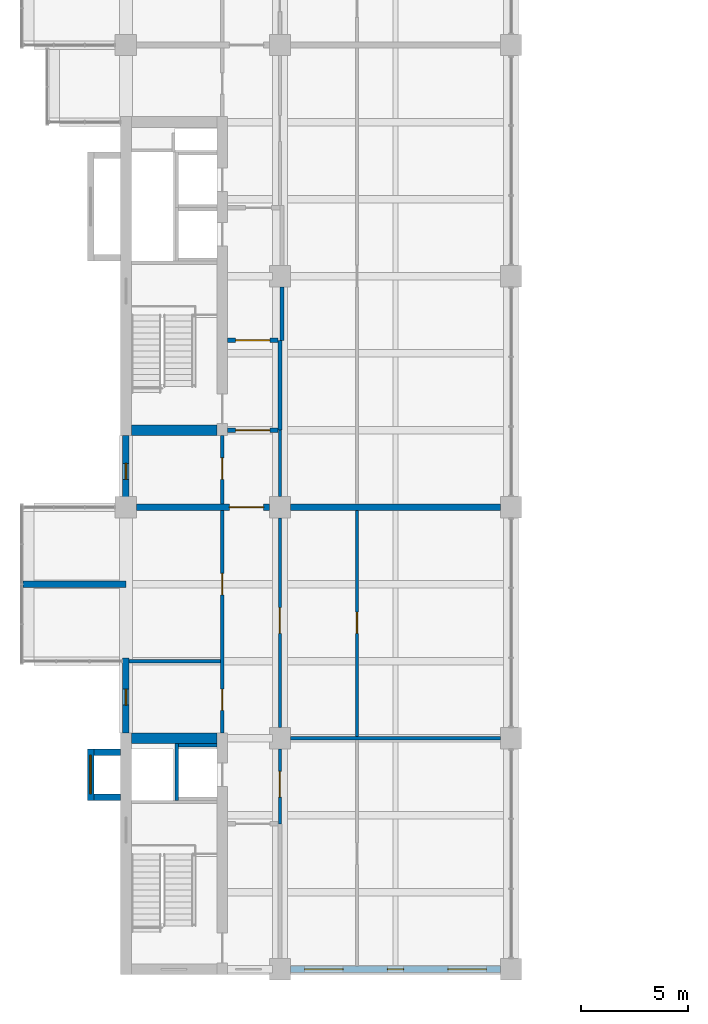
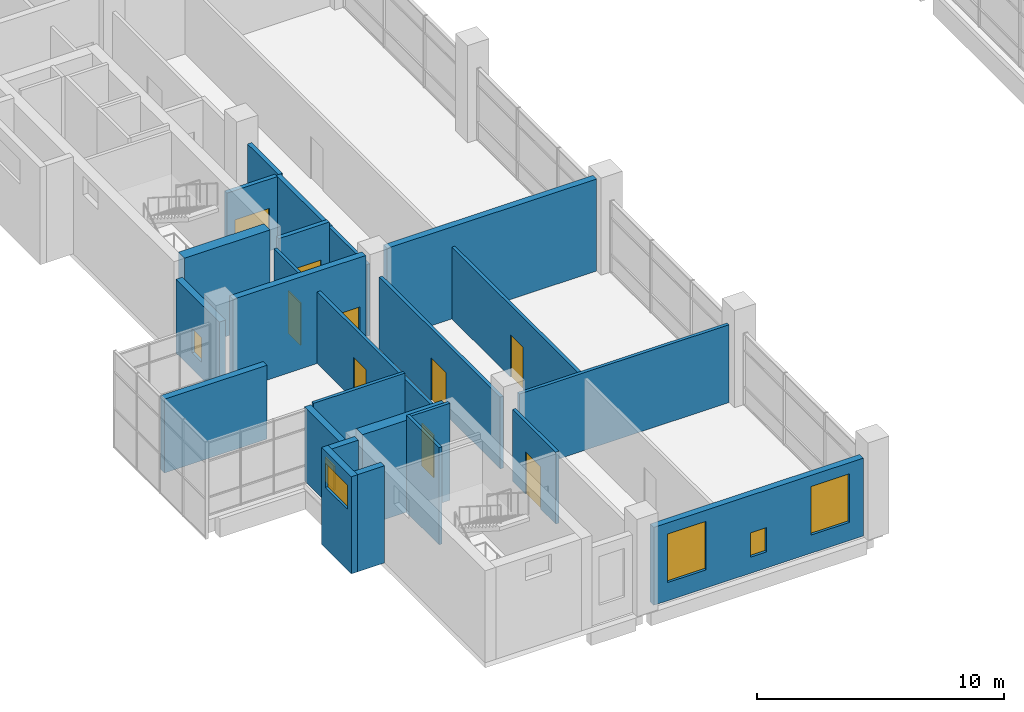
# One storey, part 21 of 30: 25 walls, 9 doors, 6 windows, 15 openings.
"""IFC4 building model written with IfcOpenShell, lengths in metres."""

from ifc_helpers import new_model, si_unit, direction, frame, frame_2d, origin, place, context, subcontext, project, spatial, rectangle, extrude, material, layer, layer_set, type_object, element, fill, save


model = new_model("IFC4")

# Units and contexts
model_context = context("Model", 3, precision=1e-05, world=origin(), true_north=direction((0.0, 1.0)))
body_context = subcontext(model_context, "Body", "Model", "MODEL_VIEW")
ifc_project = project(units=[si_unit("LENGTHUNIT", "METRE"), si_unit("AREAUNIT", "SQUARE_METRE"), si_unit("VOLUMEUNIT", "CUBIC_METRE"), si_unit("PLANEANGLEUNIT", "RADIAN"), si_unit("MASSUNIT", "GRAM", prefix="KILO")], contexts=[model_context])

# Site, building, storey
site_placement = place(None, origin())
site = spatial("IfcSite", under=ifc_project, at=site_placement, CompositionType="ELEMENT")
building_placement = place(site_placement, origin())
building = spatial("IfcBuilding", under=site, at=building_placement, Name="Basin Gate Institute", CompositionType="ELEMENT")
storey_placement = place(building_placement, frame((0.0, 0.0, 36.60009765625)))
storey = spatial("IfcBuildingStorey", under=building, at=storey_placement, Name="L07", CompositionType="ELEMENT", Elevation=36.60009765625)

# Wall
ifc_material_1 = material(Name="Aluminium-faced insulated panel wall", Category="aluminium")
ifc_layer_1 = layer(ifc_material_1, 0.300048828125)
ifc_layer_set_1 = layer_set([ifc_layer_1], Name="Capsule side wall EW2 EI 120")
wall_type_1 = type_object("IfcWallType", Name="Capsule side wall EW2 EI 120", PredefinedType="STANDARD", material=ifc_layer_set_1)
wall_1_placement = place(storey_placement, frame((56.39990234375, 53.10009765625, 0.0), z_axis=(0.0, 0.0, 1.0), x_axis=(1.0, 0.0, 0.0)))
element("IfcWall", 1, at=wall_1_placement, inside=storey, type_object=wall_type_1, material=ifc_layer_set_1, Name="Capsule side wall W wing L07 line 6", PredefinedType="STANDARD", context=body_context, shape_type="SweptSolid", body=[
    extrude(rectangle(XDim=4.800048828125, YDim=0.300048828125, at=frame_2d((2.39990234375, 0.0))), origin(), (0.0, 0.0, 1.0), 3.64990234375),
])

# Wall, opening, door
ifc_material_2 = material(Name="Fire-rated masonry", Category="masonry")
ifc_layer_2 = layer(ifc_material_2, 0.199951171875)
ifc_layer_set_2 = layer_set([ifc_layer_2], Name="Enclosure wall PW2 200 EI 60")
wall_type_2 = type_object("IfcWallType", Name="Enclosure wall PW2 200 EI 60", PredefinedType="PARTITIONING", material=ifc_layer_set_2)
wall_2_placement = place(storey_placement, frame((65.949951171875, 60.300048828125, 0.0), z_axis=(0.0, 0.0, 1.0), x_axis=(1.0, 0.0, 0.0)))
wall_2 = element("IfcWall", 2, at=wall_2_placement, inside=storey, type_object=wall_type_2, material=ifc_layer_set_2, Name="Smoke lobby enclosure wall PW2 L07", PredefinedType="PARTITIONING", context=body_context, shape_type="SweptSolid", body=[
    extrude(rectangle(XDim=2.35009765625, YDim=0.199951171875, at=frame_2d((1.175048828125, 0.0))), origin(), (0.0, 0.0, 1.0), 3.849853515625),
])
opening_1_placement = place(wall_2_placement, frame((0.375, 0.0, 0.0)))
opening_1 = element("IfcOpeningElement", 3, at=opening_1_placement, cuts=wall_2, Name="Opening DR363", PredefinedType="OPENING", context=body_context, shape_type="SweptSolid", body=[
    extrude(rectangle(XDim=1.60009765625, YDim=2.10009765625, at=frame_2d((0.800048828125, 1.050048828125))), frame((0.0, 0.10986328125, 0.0), z_axis=(0.0, -1.0, 0.0), x_axis=(1.0, 0.0, 0.0)), (0.0, 0.0, 1.0), 0.219970703125),
])
ifc_material_3 = material(Name="Steel fire door", Category="steel")
door_type_1 = type_object("IfcDoorType", Name="FD60 Smoke lobby door pair D8", OperationType="DOUBLE_DOOR_SINGLE_SWING", PredefinedType="DOOR", material=ifc_material_3)
door_1_placement = place(opening_1_placement, origin())
door_1 = element("IfcDoor", 4, at=door_1_placement, inside=storey, type_object=door_type_1, material=ifc_material_3, Name="Smoke lobby door SS2 L07", OperationType="DOUBLE_DOOR_SINGLE_SWING", OverallHeight=2.10009765625, OverallWidth=1.60009765625, PredefinedType="DOOR", context=body_context, shape_type="SweptSolid", body=[
    extrude(rectangle(XDim=1.60009765625, YDim=2.10009765625, at=frame_2d((0.800048828125, 1.050048828125))), frame((0.0, 0.02490234375, 0.0), z_axis=(0.0, -1.0, 0.0), x_axis=(1.0, 0.0, 0.0)), (0.0, 0.0, 1.0), 0.050048828125),
])
fill(opening_1, door_1)

wall_3_placement = place(storey_placement, frame((65.949951171875, 64.5, 0.0), z_axis=(0.0, 0.0, 1.0), x_axis=(1.0, 0.0, 0.0)))
wall_3 = element("IfcWall", 5, at=wall_3_placement, inside=storey, type_object=wall_type_2, material=ifc_layer_set_2, Name="Smoke lobby enclosure wall PW2 L07", PredefinedType="PARTITIONING", context=body_context, shape_type="SweptSolid", body=[
    extrude(rectangle(XDim=2.35009765625, YDim=0.199951171875, at=frame_2d((1.175048828125, 0.0))), origin(), (0.0, 0.0, 1.0), 3.5498046875),
])
opening_2_placement = place(wall_3_placement, frame((0.375, 0.0, 0.0)))
opening_2 = element("IfcOpeningElement", 6, at=opening_2_placement, cuts=wall_3, Name="Opening DR364", PredefinedType="OPENING", context=body_context, shape_type="SweptSolid", body=[
    extrude(rectangle(XDim=1.60009765625, YDim=2.10009765625, at=frame_2d((0.800048828125, 1.050048828125))), frame((0.0, 0.10986328125, 0.0), z_axis=(0.0, -1.0, 0.0), x_axis=(1.0, 0.0, 0.0)), (0.0, 0.0, 1.0), 0.219970703125),
])
door_2_placement = place(opening_2_placement, frame((1.60009765625, 0.0, 0.0), z_axis=(0.0, 0.0, 1.0), x_axis=(-1.0, 0.0, 0.0)))
door_2 = element("IfcDoor", 7, at=door_2_placement, inside=storey, type_object=door_type_1, material=ifc_material_3, Name="Smoke lobby door SS2 L07", OperationType="DOUBLE_DOOR_SINGLE_SWING", OverallHeight=2.10009765625, OverallWidth=1.60009765625, PredefinedType="DOOR", context=body_context, shape_type="SweptSolid", body=[
    extrude(rectangle(XDim=1.60009765625, YDim=2.10009765625, at=frame_2d((0.800048828125, 1.050048828125))), frame((0.0, 0.02490234375, 0.0), z_axis=(0.0, -1.0, 0.0), x_axis=(1.0, 0.0, 0.0)), (0.0, 0.0, 1.0), 0.050048828125),
])
fill(opening_2, door_2)

# Walls
wall_4_placement = place(storey_placement, frame((68.39990234375, 60.300048828125, 0.0), z_axis=(0.0, 0.0, 1.0), x_axis=(0.0, 1.0, 0.0)))
element("IfcWall", 8, at=wall_4_placement, inside=storey, type_object=wall_type_2, material=ifc_layer_set_2, Name="Smoke lobby enclosure wall PW2 L07", PredefinedType="PARTITIONING", context=body_context, shape_type="SweptSolid", body=[
    extrude(rectangle(XDim=4.199951171875, YDim=0.199951171875, at=frame_2d((2.10009765625, 0.0))), origin(), (0.0, 0.0, 1.0), 3.5498046875),
])
wall_5_placement = place(storey_placement, frame((68.5, 64.5, 0.0), z_axis=(0.0, 0.0, 1.0), x_axis=(0.0, 1.0, 0.0)))
element("IfcWall", 9, at=wall_5_placement, inside=storey, type_object=wall_type_2, material=ifc_layer_set_2, Name="Emergency lift lobby wall PW2 L07", PredefinedType="PARTITIONING", context=body_context, shape_type="SweptSolid", body=[
    extrude(rectangle(XDim=2.5, YDim=0.199951171875, at=frame_2d((1.25, 0.0))), origin(), (0.0, 0.0, 1.0), 3.5498046875),
])

# Wall, opening, window
ifc_material_4 = material(Name="Aluminium-faced insulated panel wall", Category="aluminium")
ifc_layer_3 = layer(ifc_material_4, 0.300048828125)
ifc_layer_set_3 = layer_set([ifc_layer_3], Name="External wall EW1 EI 120")
wall_type_3 = type_object("IfcWallType", Name="External wall EW1 EI 120", PredefinedType="STANDARD", material=ifc_layer_set_3)
wall_6_placement = place(storey_placement, frame((61.199951171875, 46.14990234375, 0.0), z_axis=(0.0, 0.0, 1.0), x_axis=(0.0, 1.0, 0.0)))
wall_6 = element("IfcWall", 10, at=wall_6_placement, inside=storey, type_object=wall_type_3, material=ifc_layer_set_3, Name="External wall W facade L07 1", PredefinedType="STANDARD", context=body_context, shape_type="SweptSolid", body=[
    extrude(rectangle(XDim=3.5, YDim=0.300048828125, at=frame_2d((1.75, 0.0))), origin(), (0.0, 0.0, 1.0), 3.64990234375),
])
opening_3_placement = place(wall_6_placement, frame((1.300048828125, 0.0, 0.800048828125)))
opening_3 = element("IfcOpeningElement", 11, at=opening_3_placement, cuts=wall_6, Name="Opening WN3", PredefinedType="OPENING", context=body_context, shape_type="SweptSolid", body=[
    extrude(rectangle(XDim=0.75, YDim=1.199951171875, at=frame_2d((0.375, 0.60009765625))), frame((0.0, 0.16015625, 0.0), z_axis=(0.0, -1.0, 0.0), x_axis=(1.0, 0.0, 0.0)), (0.0, 0.0, 1.0), 0.320068359375),
])
ifc_material_5 = material(Name="Aluminium-framed double glazing", Category="aluminium")
window_type_1 = type_object("IfcWindowType", Name="Emergency entry panel WN3", PartitioningType="SINGLE_PANEL", PredefinedType="WINDOW", material=ifc_material_5)
window_1_placement = place(opening_3_placement, origin())
window_1 = element("IfcWindow", 12, at=window_1_placement, inside=storey, type_object=window_type_1, material=ifc_material_5, Name="Emergency entry panel W facade L07 bay 4", OverallHeight=1.199951171875, OverallWidth=0.75, PartitioningType="SINGLE_PANEL", PredefinedType="WINDOW", context=body_context, shape_type="SweptSolid", body=[
    extrude(rectangle(XDim=0.75, YDim=1.199951171875, at=frame_2d((0.375, 0.60009765625))), frame((0.0, 0.030029296875, 0.0), z_axis=(0.0, -1.0, 0.0), x_axis=(1.0, 0.0, 0.0)), (0.0, 0.0, 1.0), 0.06005859375),
])
fill(opening_3, window_1)

wall_7_placement = place(storey_placement, frame((61.199951171875, 56.550048828125, 0.0), z_axis=(0.0, 0.0, 1.0), x_axis=(0.0, 1.0, 0.0)))
wall_7 = element("IfcWall", 13, at=wall_7_placement, inside=storey, type_object=wall_type_3, material=ifc_layer_set_3, Name="External wall W facade L07 2", PredefinedType="STANDARD", context=body_context, shape_type="SweptSolid", body=[
    extrude(rectangle(XDim=3.5, YDim=0.300048828125, at=frame_2d((1.75, 0.0))), origin(), (0.0, 0.0, 1.0), 3.64990234375),
])
opening_4_placement = place(wall_7_placement, frame((1.449951171875, 0.0, 0.800048828125)))
opening_4 = element("IfcOpeningElement", 14, at=opening_4_placement, cuts=wall_7, Name="Opening WN3", PredefinedType="OPENING", context=body_context, shape_type="SweptSolid", body=[
    extrude(rectangle(XDim=0.75, YDim=1.199951171875, at=frame_2d((0.375, 0.60009765625))), frame((0.0, 0.16015625, 0.0), z_axis=(0.0, -1.0, 0.0), x_axis=(1.0, 0.0, 0.0)), (0.0, 0.0, 1.0), 0.320068359375),
])
window_2_placement = place(opening_4_placement, origin())
window_2 = element("IfcWindow", 15, at=window_2_placement, inside=storey, type_object=window_type_1, material=ifc_material_5, Name="Emergency entry panel W facade L07 bay 7", OverallHeight=1.199951171875, OverallWidth=0.75, PartitioningType="SINGLE_PANEL", PredefinedType="WINDOW", context=body_context, shape_type="SweptSolid", body=[
    extrude(rectangle(XDim=0.75, YDim=1.199951171875, at=frame_2d((0.375, 0.60009765625))), frame((0.0, 0.030029296875, 0.0), z_axis=(0.0, -1.0, 0.0), x_axis=(1.0, 0.0, 0.0)), (0.0, 0.0, 1.0), 0.06005859375),
])
fill(opening_4, window_2)

# Wall, openings, windows
wall_8_placement = place(storey_placement, frame((68.89990234375, 35.10009765625, 0.0), z_axis=(0.0, 0.0, 1.0), x_axis=(1.0, 0.0, 0.0)))
wall_8 = element("IfcWall", 16, at=wall_8_placement, inside=storey, type_object=wall_type_3, material=ifc_layer_set_3, Name="External end wall W wing south L07 2", PredefinedType="STANDARD", context=body_context, shape_type="SweptSolid", body=[
    extrude(rectangle(XDim=9.800048828125, YDim=0.300048828125, at=frame_2d((4.89990234375, 0.0))), origin(), (0.0, 0.0, 1.0), 3.849853515625),
])
opening_5_placement = place(wall_8_placement, frame((0.64990234375, 0.0, 0.89990234375)))
opening_5 = element("IfcOpeningElement", 17, at=opening_5_placement, cuts=wall_8, Name="Opening WN1", PredefinedType="OPENING", context=body_context, shape_type="SweptSolid", body=[
    extrude(rectangle(XDim=1.800048828125, YDim=2.39990234375, at=frame_2d((0.89990234375, 1.199951171875))), frame((0.0, 0.16015625, 0.0), z_axis=(0.0, -1.0, 0.0), x_axis=(1.0, 0.0, 0.0)), (0.0, 0.0, 1.0), 0.320068359375),
])
opening_6_placement = place(wall_8_placement, frame((4.52490234375, 0.0, 0.800048828125)))
opening_6 = element("IfcOpeningElement", 18, at=opening_6_placement, cuts=wall_8, Name="Opening WN3", PredefinedType="OPENING", context=body_context, shape_type="SweptSolid", body=[
    extrude(rectangle(XDim=0.75, YDim=1.199951171875, at=frame_2d((0.375, 0.60009765625))), frame((0.0, 0.16015625, 0.0), z_axis=(0.0, -1.0, 0.0), x_axis=(1.0, 0.0, 0.0)), (0.0, 0.0, 1.0), 0.320068359375),
])
opening_7_placement = place(wall_8_placement, frame((7.35009765625, 0.0, 0.89990234375)))
opening_7 = element("IfcOpeningElement", 19, at=opening_7_placement, cuts=wall_8, Name="Opening WN1", PredefinedType="OPENING", context=body_context, shape_type="SweptSolid", body=[
    extrude(rectangle(XDim=1.800048828125, YDim=2.39990234375, at=frame_2d((0.89990234375, 1.199951171875))), frame((0.0, 0.16015625, 0.0), z_axis=(0.0, -1.0, 0.0), x_axis=(1.0, 0.0, 0.0)), (0.0, 0.0, 1.0), 0.320068359375),
])
window_3_placement = place(opening_6_placement, origin())
window_3 = element("IfcWindow", 20, at=window_3_placement, inside=storey, type_object=window_type_1, material=ifc_material_5, Name="Emergency entry panel W wing end S L07 bay 2", OverallHeight=1.199951171875, OverallWidth=0.75, PartitioningType="SINGLE_PANEL", PredefinedType="WINDOW", context=body_context, shape_type="SweptSolid", body=[
    extrude(rectangle(XDim=0.75, YDim=1.199951171875, at=frame_2d((0.375, 0.60009765625))), frame((0.0, 0.030029296875, 0.0), z_axis=(0.0, -1.0, 0.0), x_axis=(1.0, 0.0, 0.0)), (0.0, 0.0, 1.0), 0.06005859375),
])
fill(opening_6, window_3)
ifc_material_6 = material(Name="Aluminium-framed double glazing", Category="aluminium")
window_type_2 = type_object("IfcWindowType", Name="Facade window WN1", PartitioningType="SINGLE_PANEL", PredefinedType="WINDOW", material=ifc_material_6)
window_4_placement = place(opening_5_placement, origin())
window_4 = element("IfcWindow", 21, at=window_4_placement, inside=storey, type_object=window_type_2, material=ifc_material_6, Name="Facade window W wing end S L07 bay 1", OverallHeight=2.39990234375, OverallWidth=1.800048828125, PartitioningType="SINGLE_PANEL", PredefinedType="WINDOW", context=body_context, shape_type="SweptSolid", body=[
    extrude(rectangle(XDim=1.800048828125, YDim=2.39990234375, at=frame_2d((0.89990234375, 1.199951171875))), frame((0.0, 0.030029296875, 0.0), z_axis=(0.0, -1.0, 0.0), x_axis=(1.0, 0.0, 0.0)), (0.0, 0.0, 1.0), 0.06005859375),
])
fill(opening_5, window_4)
window_5_placement = place(opening_7_placement, origin())
window_5 = element("IfcWindow", 22, at=window_5_placement, inside=storey, type_object=window_type_2, material=ifc_material_6, Name="Facade window W wing end S L07 bay 3", OverallHeight=2.39990234375, OverallWidth=1.800048828125, PartitioningType="SINGLE_PANEL", PredefinedType="WINDOW", context=body_context, shape_type="SweptSolid", body=[
    extrude(rectangle(XDim=1.800048828125, YDim=2.39990234375, at=frame_2d((0.89990234375, 1.199951171875))), frame((0.0, 0.030029296875, 0.0), z_axis=(0.0, -1.0, 0.0), x_axis=(1.0, 0.0, 0.0)), (0.0, 0.0, 1.0), 0.06005859375),
])
fill(opening_7, window_5)

# Wall, openings, doors
ifc_material_7 = material(Name="Gypsum board on steel stud", Category="steel")
ifc_layer_4 = layer(ifc_material_7, 0.14990234375)
ifc_layer_set_4 = layer_set([ifc_layer_4], Name="Gypsum board on steel stud")
wall_type_4 = type_object("IfcWallType", Name="Partition PW1 150 EI 60", PredefinedType="PARTITIONING", material=ifc_layer_set_4)
wall_9_placement = place(storey_placement, frame((65.699951171875, 46.14990234375, 0.0), z_axis=(0.0, 0.0, 1.0), x_axis=(0.0, 1.0, 0.0)))
wall_9 = element("IfcWall", 23, at=wall_9_placement, inside=storey, type_object=wall_type_4, material=ifc_layer_set_4, Name="Corridor wall PW1 L07", PredefinedType="PARTITIONING", context=body_context, shape_type="SweptSolid", body=[
    extrude(rectangle(XDim=10.400146484375, YDim=0.14990234375, at=frame_2d((5.2001953125, 0.0))), origin(), (0.0, 0.0, 1.0), 3.5498046875),
])
opening_8_placement = place(wall_9_placement, frame((1.050048828125, 0.0, 0.0)))
opening_8 = element("IfcOpeningElement", 24, at=opening_8_placement, cuts=wall_9, Name="Opening DR351", PredefinedType="OPENING", context=body_context, shape_type="SweptSolid", body=[
    extrude(rectangle(XDim=1.0, YDim=2.10009765625, at=frame_2d((0.5, 1.050048828125))), frame((0.0, 0.0849609375, 0.0), z_axis=(0.0, -1.0, 0.0), x_axis=(1.0, 0.0, 0.0)), (0.0, 0.0, 1.0), 0.169921875),
])
opening_9_placement = place(wall_9_placement, frame((6.449951171875, 0.0, 0.0)))
opening_9 = element("IfcOpeningElement", 25, at=opening_9_placement, cuts=wall_9, Name="Opening DR359", PredefinedType="OPENING", context=body_context, shape_type="SweptSolid", body=[
    extrude(rectangle(XDim=1.0, YDim=2.10009765625, at=frame_2d((0.5, 1.050048828125))), frame((0.0, 0.0849609375, 0.0), z_axis=(0.0, -1.0, 0.0), x_axis=(1.0, 0.0, 0.0)), (0.0, 0.0, 1.0), 0.169921875),
])
ifc_material_8 = material(Name="Timber fire door", Category="wood")
door_type_2 = type_object("IfcDoorType", Name="FD30 Office door D1", OperationType="NOTDEFINED", PredefinedType="DOOR", material=ifc_material_8)
door_3_placement = place(opening_9_placement, origin())
door_3 = element("IfcDoor", 26, at=door_3_placement, inside=storey, type_object=door_type_2, material=ifc_material_8, Name="Door to Meeting Room 0702 L07", OperationType="SINGLE_SWING_RIGHT", OverallHeight=2.10009765625, OverallWidth=1.0, PredefinedType="DOOR", context=body_context, shape_type="SweptSolid", body=[
    extrude(rectangle(XDim=1.0, YDim=2.10009765625, at=frame_2d((0.5, 1.050048828125))), frame((0.0, 0.02490234375, 0.0), z_axis=(0.0, -1.0, 0.0), x_axis=(1.0, 0.0, 0.0)), (0.0, 0.0, 1.0), 0.050048828125),
])
fill(opening_9, door_3)
ifc_material_9 = material(Name="Timber fire door", Category="wood")
door_type_3 = type_object("IfcDoorType", Name="FD30 Toilet door D3", OperationType="NOTDEFINED", PredefinedType="DOOR", material=ifc_material_9)
door_4_placement = place(opening_8_placement, origin())
door_4 = element("IfcDoor", 27, at=door_4_placement, inside=storey, type_object=door_type_3, material=ifc_material_9, Name="Door to Female WC L07", OperationType="SINGLE_SWING_LEFT", OverallHeight=2.10009765625, OverallWidth=1.0, PredefinedType="DOOR", context=body_context, shape_type="SweptSolid", body=[
    extrude(rectangle(XDim=1.0, YDim=2.10009765625, at=frame_2d((0.5, 1.050048828125))), frame((0.0, 0.02490234375, 0.0), z_axis=(0.0, -1.0, 0.0), x_axis=(1.0, 0.0, 0.0)), (0.0, 0.0, 1.0), 0.050048828125),
])
fill(opening_8, door_4)

# Wall, opening, door
wall_10_placement = place(storey_placement, frame((65.699951171875, 56.85009765625, 0.0), z_axis=(0.0, 0.0, 1.0), x_axis=(0.0, 1.0, 0.0)))
wall_10 = element("IfcWall", 28, at=wall_10_placement, inside=storey, type_object=wall_type_4, material=ifc_layer_set_4, Name="Corridor wall PW1 L07", PredefinedType="PARTITIONING", context=body_context, shape_type="SweptSolid", body=[
    extrude(rectangle(XDim=3.199951171875, YDim=0.14990234375, at=frame_2d((1.60009765625, 0.0))), origin(), (0.0, 0.0, 1.0), 3.5498046875),
])
opening_10_placement = place(wall_10_placement, frame((1.14990234375, 0.0, 0.0)))
opening_10 = element("IfcOpeningElement", 29, at=opening_10_placement, cuts=wall_10, Name="Opening DR350", PredefinedType="OPENING", context=body_context, shape_type="SweptSolid", body=[
    extrude(rectangle(XDim=1.0, YDim=2.10009765625, at=frame_2d((0.5, 1.050048828125))), frame((0.0, 0.0849609375, 0.0), z_axis=(0.0, -1.0, 0.0), x_axis=(1.0, 0.0, 0.0)), (0.0, 0.0, 1.0), 0.169921875),
])
door_5_placement = place(opening_10_placement, origin())
door_5 = element("IfcDoor", 30, at=door_5_placement, inside=storey, type_object=door_type_3, material=ifc_material_9, Name="Door to Accessible WC L07", OperationType="SINGLE_SWING_RIGHT", OverallHeight=2.10009765625, OverallWidth=1.0, PredefinedType="DOOR", context=body_context, shape_type="SweptSolid", body=[
    extrude(rectangle(XDim=1.0, YDim=2.10009765625, at=frame_2d((0.5, 1.050048828125))), frame((0.0, 0.02490234375, 0.0), z_axis=(0.0, -1.0, 0.0), x_axis=(1.0, 0.0, 0.0)), (0.0, 0.0, 1.0), 0.050048828125),
])
fill(opening_10, door_5)

wall_11_placement = place(storey_placement, frame((68.39990234375, 41.89990234375, 0.0), z_axis=(0.0, 0.0, 1.0), x_axis=(0.0, 1.0, 0.0)))
wall_11 = element("IfcWall", 31, at=wall_11_placement, inside=storey, type_object=wall_type_4, material=ifc_layer_set_4, Name="Laboratory corridor wall PW1 L07", PredefinedType="PARTITIONING", context=body_context, shape_type="SweptSolid", body=[
    extrude(rectangle(XDim=3.5, YDim=0.14990234375, at=frame_2d((1.75, 0.0))), origin(), (0.0, 0.0, 1.0), 3.5498046875),
])
opening_11_placement = place(wall_11_placement, frame((1.25, 0.0, 0.0)))
opening_11 = element("IfcOpeningElement", 32, at=opening_11_placement, cuts=wall_11, Name="Opening DR352", PredefinedType="OPENING", context=body_context, shape_type="SweptSolid", body=[
    extrude(rectangle(XDim=1.199951171875, YDim=2.10009765625, at=frame_2d((0.60009765625, 1.050048828125))), frame((0.0, 0.0849609375, 0.0), z_axis=(0.0, -1.0, 0.0), x_axis=(1.0, 0.0, 0.0)), (0.0, 0.0, 1.0), 0.169921875),
])
ifc_material_10 = material(Name="Timber fire door", Category="wood")
door_type_4 = type_object("IfcDoorType", Name="FD30 Laboratory door D2", OperationType="DOUBLE_DOOR_SINGLE_SWING", PredefinedType="DOOR", material=ifc_material_10)
door_6_placement = place(opening_11_placement, frame((1.199951171875, 0.0, 0.0), z_axis=(0.0, 0.0, 1.0), x_axis=(-1.0, 0.0, 0.0)))
door_6 = element("IfcDoor", 33, at=door_6_placement, inside=storey, type_object=door_type_4, material=ifc_material_10, Name="Door to Gowning Airlock 0714 L07", OperationType="DOUBLE_DOOR_SINGLE_SWING", OverallHeight=2.10009765625, OverallWidth=1.199951171875, PredefinedType="DOOR", context=body_context, shape_type="SweptSolid", body=[
    extrude(rectangle(XDim=1.199951171875, YDim=2.10009765625, at=frame_2d((0.60009765625, 1.050048828125))), frame((0.0, 0.02490234375, 0.0), z_axis=(0.0, -1.0, 0.0), x_axis=(1.0, 0.0, 0.0)), (0.0, 0.0, 1.0), 0.050048828125),
])
fill(opening_11, door_6)

wall_12_placement = place(storey_placement, frame((68.39990234375, 46.39990234375, 0.0), z_axis=(0.0, 0.0, 1.0), x_axis=(0.0, 1.0, 0.0)))
wall_12 = element("IfcWall", 34, at=wall_12_placement, inside=storey, type_object=wall_type_4, material=ifc_layer_set_4, Name="Laboratory corridor wall PW1 L07", PredefinedType="PARTITIONING", context=body_context, shape_type="SweptSolid", body=[
    extrude(rectangle(XDim=9.800048828125, YDim=0.14990234375, at=frame_2d((4.89990234375, 0.0))), origin(), (0.0, 0.0, 1.0), 3.5498046875),
])
opening_12_placement = place(wall_12_placement, frame((4.39990234375, 0.0, 0.0)))
opening_12 = element("IfcOpeningElement", 35, at=opening_12_placement, cuts=wall_12, Name="Opening DR353", PredefinedType="OPENING", context=body_context, shape_type="SweptSolid", body=[
    extrude(rectangle(XDim=1.199951171875, YDim=2.10009765625, at=frame_2d((0.60009765625, 1.050048828125))), frame((0.0, 0.0849609375, 0.0), z_axis=(0.0, -1.0, 0.0), x_axis=(1.0, 0.0, 0.0)), (0.0, 0.0, 1.0), 0.169921875),
])
door_7_placement = place(opening_12_placement, frame((1.199951171875, 0.0, 0.0), z_axis=(0.0, 0.0, 1.0), x_axis=(-1.0, 0.0, 0.0)))
door_7 = element("IfcDoor", 36, at=door_7_placement, inside=storey, type_object=door_type_4, material=ifc_material_10, Name="Door to Gowning Airlock 0716 L07", OperationType="DOUBLE_DOOR_SINGLE_SWING", OverallHeight=2.10009765625, OverallWidth=1.199951171875, PredefinedType="DOOR", context=body_context, shape_type="SweptSolid", body=[
    extrude(rectangle(XDim=1.199951171875, YDim=2.10009765625, at=frame_2d((0.60009765625, 1.050048828125))), frame((0.0, 0.02490234375, 0.0), z_axis=(0.0, -1.0, 0.0), x_axis=(1.0, 0.0, 0.0)), (0.0, 0.0, 1.0), 0.050048828125),
])
fill(opening_12, door_7)

# Wall
wall_13_placement = place(storey_placement, frame((68.39990234375, 57.199951171875, 0.0), z_axis=(0.0, 0.0, 1.0), x_axis=(0.0, 1.0, 0.0)))
element("IfcWall", 37, at=wall_13_placement, inside=storey, type_object=wall_type_4, material=ifc_layer_set_4, Name="Laboratory corridor wall PW1 L07", PredefinedType="PARTITIONING", context=body_context, shape_type="SweptSolid", body=[
    extrude(rectangle(XDim=3.10009765625, YDim=0.14990234375, at=frame_2d((1.550048828125, 0.0))), origin(), (0.0, 0.0, 1.0), 3.5498046875),
])

# Wall, opening, door
wall_14_placement = place(storey_placement, frame((72.0, 45.97509765625, 0.0), z_axis=(0.0, 0.0, 1.0), x_axis=(0.0, 1.0, 0.0)))
wall_14 = element("IfcWall", 38, at=wall_14_placement, inside=storey, type_object=wall_type_4, material=ifc_layer_set_4, Name="Clean room wall PW1 L07", PredefinedType="PARTITIONING", context=body_context, shape_type="SweptSolid", body=[
    extrude(rectangle(XDim=10.574951171875, YDim=0.14990234375, at=frame_2d((5.28759765625, 0.0))), origin(), (0.0, 0.0, 1.0), 3.5498046875),
])
opening_13_placement = place(wall_14_placement, frame((4.824951171875, 0.0, 0.0)))
opening_13 = element("IfcOpeningElement", 39, at=opening_13_placement, cuts=wall_14, Name="Opening DR346", PredefinedType="OPENING", context=body_context, shape_type="SweptSolid", body=[
    extrude(rectangle(XDim=1.0, YDim=2.10009765625, at=frame_2d((0.5, 1.050048828125))), frame((0.0, 0.0849609375, 0.0), z_axis=(0.0, -1.0, 0.0), x_axis=(1.0, 0.0, 0.0)), (0.0, 0.0, 1.0), 0.169921875),
])
ifc_material_11 = material(Name="Steel fire door", Category="steel")
door_type_5 = type_object("IfcDoorType", Name="FD30 Airlock door D5", OperationType="NOTDEFINED", PredefinedType="DOOR", material=ifc_material_11)
door_8_placement = place(opening_13_placement, frame((1.0, 0.0, 0.0), z_axis=(0.0, 0.0, 1.0), x_axis=(-1.0, 0.0, 0.0)))
door_8 = element("IfcDoor", 40, at=door_8_placement, inside=storey, type_object=door_type_5, material=ifc_material_11, Name="Clean room entry door Clean Room ISO 7 0716 L07", OperationType="SINGLE_SWING_RIGHT", OverallHeight=2.10009765625, OverallWidth=1.0, PredefinedType="DOOR", context=body_context, shape_type="SweptSolid", body=[
    extrude(rectangle(XDim=1.0, YDim=2.10009765625, at=frame_2d((0.5, 1.050048828125))), frame((0.0, 0.02490234375, 0.0), z_axis=(0.0, -1.0, 0.0), x_axis=(1.0, 0.0, 0.0)), (0.0, 0.0, 1.0), 0.050048828125),
])
fill(opening_13, door_8)

# Walls
wall_15_placement = place(storey_placement, frame((68.89990234375, 45.89990234375, 0.0), z_axis=(0.0, 0.0, 1.0), x_axis=(1.0, 0.0, 0.0)))
element("IfcWall", 41, at=wall_15_placement, inside=storey, type_object=wall_type_4, material=ifc_layer_set_4, Name="Clean room wall PW1 L07", PredefinedType="PARTITIONING", context=body_context, shape_type="SweptSolid", body=[
    extrude(rectangle(XDim=9.800048828125, YDim=0.14990234375, at=frame_2d((4.89990234375, 0.0))), origin(), (0.0, 0.0, 1.0), 3.849853515625),
])
ifc_material_12 = material(Name="Gypsum board on steel stud", Category="steel")
ifc_layer_5 = layer(ifc_material_12, 0.14990234375)
ifc_layer_set_5 = layer_set([ifc_layer_5], Name="Gypsum board on steel stud")
wall_type_5 = type_object("IfcWallType", Name="Partition PW4 150", PredefinedType="PARTITIONING", material=ifc_layer_set_5)
wall_16_placement = place(storey_placement, frame((61.35009765625, 49.5, 0.0), z_axis=(0.0, 0.0, 1.0), x_axis=(1.0, 0.0, 0.0)))
element("IfcWall", 42, at=wall_16_placement, inside=storey, type_object=wall_type_5, material=ifc_layer_set_5, Name="Toilet partition PW4 L07", PredefinedType="PARTITIONING", context=body_context, shape_type="SweptSolid", body=[
    extrude(rectangle(XDim=4.27490234375, YDim=0.14990234375, at=frame_2d((2.137451171875, 0.0))), origin(), (0.0, 0.0, 1.0), 3.849853515625),
])
ifc_material_13 = material(Name="Concrete 40 MPa", Category="concrete")
ifc_layer_6 = layer(ifc_material_13, 0.14990234375)
ifc_layer_set_6 = layer_set([ifc_layer_6], Name="Concrete 40 MPa")
wall_type_6 = type_object("IfcWallType", Name="Wall LS1 lift shaft enclosure R120", PredefinedType="SOLIDWALL", material=ifc_layer_set_6)
wall_17_placement = place(storey_placement, frame((63.574951171875, 43.0, 0.0), z_axis=(0.0, 0.0, 1.0), x_axis=(0.0, 1.0, 0.0)))
element("IfcWall", 43, at=wall_17_placement, inside=storey, type_object=wall_type_6, material=ifc_layer_set_6, Name="Lift shaft enclosure LP1 L07 UL", PredefinedType="SOLIDWALL", context=body_context, shape_type="SweptSolid", body=[
    extrude(rectangle(XDim=2.64990234375, YDim=0.14990234375, at=frame_2d((1.324951171875, 0.0))), origin(), (0.0, 0.0, 1.0), 4.7998046875),
])
wall_18_placement = place(storey_placement, frame((63.64990234375, 45.574951171875, 0.0), z_axis=(0.0, 0.0, 1.0), x_axis=(1.0, 0.0, 0.0)))
element("IfcWall", 44, at=wall_18_placement, inside=storey, type_object=wall_type_6, material=ifc_layer_set_6, Name="Lift shaft enclosure LP1 L07 RH", PredefinedType="SOLIDWALL", context=body_context, shape_type="SweptSolid", body=[
    extrude(rectangle(XDim=1.800048828125, YDim=0.14990234375, at=frame_2d((0.89990234375, 0.0))), origin(), (0.0, 0.0, 1.0), 4.7998046875),
])

# Wall, opening, window
ifc_material_14 = material(Name="Concrete 50 MPa", Category="concrete")
ifc_layer_7 = layer(ifc_material_14, 0.300048828125)
ifc_layer_set_7 = layer_set([ifc_layer_7], Name="Concrete 50 MPa")
wall_type_7 = type_object("IfcWallType", Name="Wall SK1 R120", PredefinedType="SHEAR", material=ifc_layer_set_7)
wall_19_placement = place(storey_placement, frame((59.550048828125, 43.0, 0.0), z_axis=(0.0, 0.0, 1.0), x_axis=(0.0, 1.0, 0.0)))
wall_19 = element("IfcWall", 45, at=wall_19_placement, inside=storey, type_object=wall_type_7, material=ifc_layer_set_7, Name="Spine riser stack wall SK1 WS F L07", PredefinedType="SHEAR", context=body_context, shape_type="SweptSolid", body=[
    extrude(rectangle(XDim=2.39990234375, YDim=0.300048828125, at=frame_2d((1.199951171875, 0.0))), origin(), (0.0, 0.0, 1.0), 4.7998046875),
])
opening_14_placement = place(wall_19_placement, frame((0.300048828125, 0.0, 3.0)))
opening_14 = element("IfcOpeningElement", 46, at=opening_14_placement, cuts=wall_19, Name="Opening WL2", PredefinedType="OPENING", context=body_context, shape_type="SweptSolid", body=[
    extrude(rectangle(XDim=1.800048828125, YDim=1.199951171875, at=frame_2d((0.89990234375, 0.60009765625))), frame((0.0, 0.16015625, 0.0), z_axis=(0.0, -1.0, 0.0), x_axis=(1.0, 0.0, 0.0)), (0.0, 0.0, 1.0), 0.320068359375),
])
ifc_material_15 = material(Name="Aluminium louvre blades with fire damper", Category="aluminium")
window_type_3 = type_object("IfcWindowType", Name="Riser louvre EI 120 WL2", PartitioningType="SINGLE_PANEL", PredefinedType="WINDOW", material=ifc_material_15)
window_6_placement = place(opening_14_placement, origin())
window_6 = element("IfcWindow", 47, at=window_6_placement, inside=storey, type_object=window_type_3, material=ifc_material_15, Name="Riser louvre EI 120 WS riser 1 L07", OverallHeight=1.199951171875, OverallWidth=1.800048828125, PartitioningType="SINGLE_PANEL", PredefinedType="WINDOW", context=body_context, shape_type="SweptSolid", body=[
    extrude(rectangle(XDim=1.800048828125, YDim=1.199951171875, at=frame_2d((0.89990234375, 0.60009765625))), frame((0.0, 0.030029296875, 0.0), z_axis=(0.0, -1.0, 0.0), x_axis=(1.0, 0.0, 0.0)), (0.0, 0.0, 1.0), 0.06005859375),
])
fill(opening_14, window_6)

# Walls
for number, where, z_axis, x_axis, name in (
    (48, (60.949951171875, 43.14990234375, 0.0), (0.0, 0.0, 1.0), (-1.0, 0.0, 0.0), "Spine riser stack wall SK1 WS A L07"),
    (49, (60.949951171875, 45.25, 0.0), (0.0, 0.0, 1.0), (-1.0, 0.0, 0.0), "Spine riser stack wall SK1 WS B L07"),
):
    element("IfcWall", number, at=place(storey_placement, frame(where, z_axis=z_axis, x_axis=x_axis)), inside=storey, type_object=wall_type_7, material=ifc_layer_set_7, Name=name, PredefinedType="SHEAR", context=body_context, shape_type="SweptSolid", body=[
        extrude(rectangle(XDim=1.25, YDim=0.300048828125, at=frame_2d((0.625, 0.0))), origin(), (0.0, 0.0, 1.0), 4.7998046875),
    ])
ifc_material_16 = material(Name="Concrete 60 MPa", Category="concrete")
ifc_layer_8 = layer(ifc_material_16, 0.5)
ifc_layer_set_8 = layer_set([ifc_layer_8], Name="Concrete 60 MPa")
wall_type_8 = type_object("IfcWallType", Name="Wall SW1 R120", PredefinedType="SHEAR", material=ifc_layer_set_8)
for number, where, z_axis, x_axis, name in (
    (50, (61.449951171875, 45.89990234375, 0.0), (0.0, 0.0, 1.0), (1.0, 0.0, 0.0), "WALL/L07/WS/N"),
    (51, (61.449951171875, 60.300048828125, 0.0), (0.0, 0.0, 1.0), (1.0, 0.0, 0.0), "WALL/L07/WM/S"),
):
    element("IfcWall", number, at=place(storey_placement, frame(where, z_axis=z_axis, x_axis=x_axis)), inside=storey, type_object=wall_type_8, material=ifc_layer_set_8, Name=name, PredefinedType="SHEAR", context=body_context, shape_type="SweptSolid", body=[
        extrude(rectangle(XDim=4.0, YDim=0.5, at=frame_2d((2.0, 0.0))), origin(), (0.0, 0.0, 1.0), 4.5498046875),
    ])

# Wall, opening, door
ifc_material_17 = material(Name="Concrete 50 MPa", Category="concrete")
ifc_layer_9 = layer(ifc_material_17, 0.300048828125)
ifc_layer_set_9 = layer_set([ifc_layer_9], Name="Concrete 50 MPa")
wall_type_9 = type_object("IfcWallType", Name="Wall XW1 R120", PredefinedType="SHEAR", material=ifc_layer_set_9)
wall_20_placement = place(storey_placement, frame((61.699951171875, 56.699951171875, 0.0), z_axis=(0.0, 0.0, 1.0), x_axis=(1.0, 0.0, 0.0)))
wall_20 = element("IfcWall", 52, at=wall_20_placement, inside=storey, type_object=wall_type_9, material=ifc_layer_set_9, Name="WALL/L07/WXC/1", PredefinedType="SHEAR", context=body_context, shape_type="SweptSolid", body=[
    extrude(rectangle(XDim=6.199951171875, YDim=0.300048828125, at=frame_2d((3.10009765625, 0.0))), origin(), (0.0, 0.0, 1.0), 4.5498046875),
])
opening_15_placement = place(wall_20_placement, frame((4.33740234375, 0.0, 0.0)))
opening_15 = element("IfcOpeningElement", 53, at=opening_15_placement, cuts=wall_20, Name="Opening DR366", PredefinedType="OPENING", context=body_context, shape_type="SweptSolid", body=[
    extrude(rectangle(XDim=1.60009765625, YDim=2.10009765625, at=frame_2d((0.800048828125, 1.050048828125))), frame((0.0, 0.16015625, 0.0), z_axis=(0.0, -1.0, 0.0), x_axis=(1.0, 0.0, 0.0)), (0.0, 0.0, 1.0), 0.320068359375),
])
ifc_material_18 = material(Name="Steel fire door", Category="steel")
door_type_6 = type_object("IfcDoorType", Name="FD60 Compartment door pair D7", OperationType="DOUBLE_DOOR_SINGLE_SWING", PredefinedType="DOOR", material=ifc_material_18)
door_9_placement = place(opening_15_placement, origin())
door_9 = element("IfcDoor", 54, at=door_9_placement, inside=storey, type_object=door_type_6, material=ifc_material_18, Name="Compartment door pair L07 W1 L07", OperationType="DOUBLE_DOOR_SINGLE_SWING", OverallHeight=2.10009765625, OverallWidth=1.60009765625, PredefinedType="DOOR", context=body_context, shape_type="SweptSolid", body=[
    extrude(rectangle(XDim=1.60009765625, YDim=2.10009765625, at=frame_2d((0.800048828125, 1.050048828125))), frame((0.0, 0.02490234375, 0.0), z_axis=(0.0, -1.0, 0.0), x_axis=(1.0, 0.0, 0.0)), (0.0, 0.0, 1.0), 0.050048828125),
])
fill(opening_15, door_9)

# Wall
wall_21_placement = place(storey_placement, frame((68.89990234375, 56.699951171875, 0.0), z_axis=(0.0, 0.0, 1.0), x_axis=(1.0, 0.0, 0.0)))
element("IfcWall", 55, at=wall_21_placement, inside=storey, type_object=wall_type_9, material=ifc_layer_set_9, Name="WALL/L07/WXC/2", PredefinedType="SHEAR", context=body_context, shape_type="SweptSolid", body=[
    extrude(rectangle(XDim=9.800048828125, YDim=0.300048828125, at=frame_2d((4.89990234375, 0.0))), origin(), (0.0, 0.0, 1.0), 4.5498046875),
])

save(model, "model.ifc")
